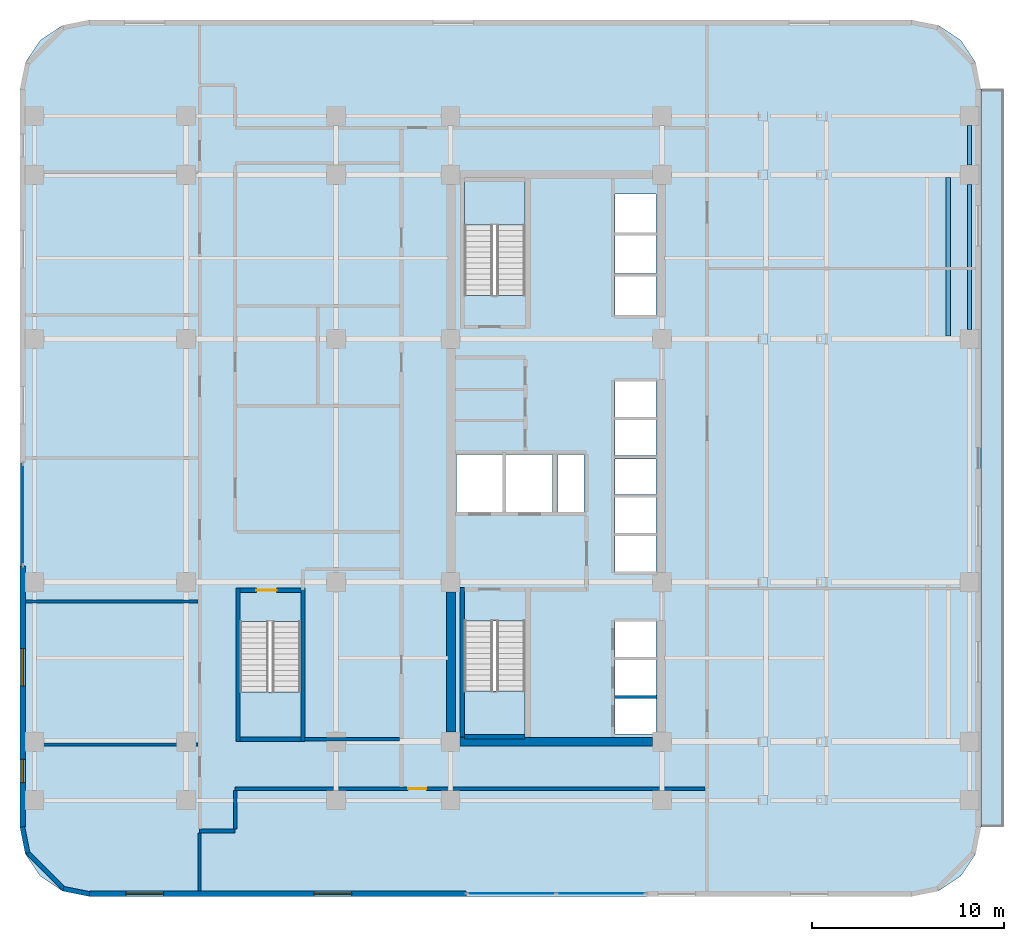
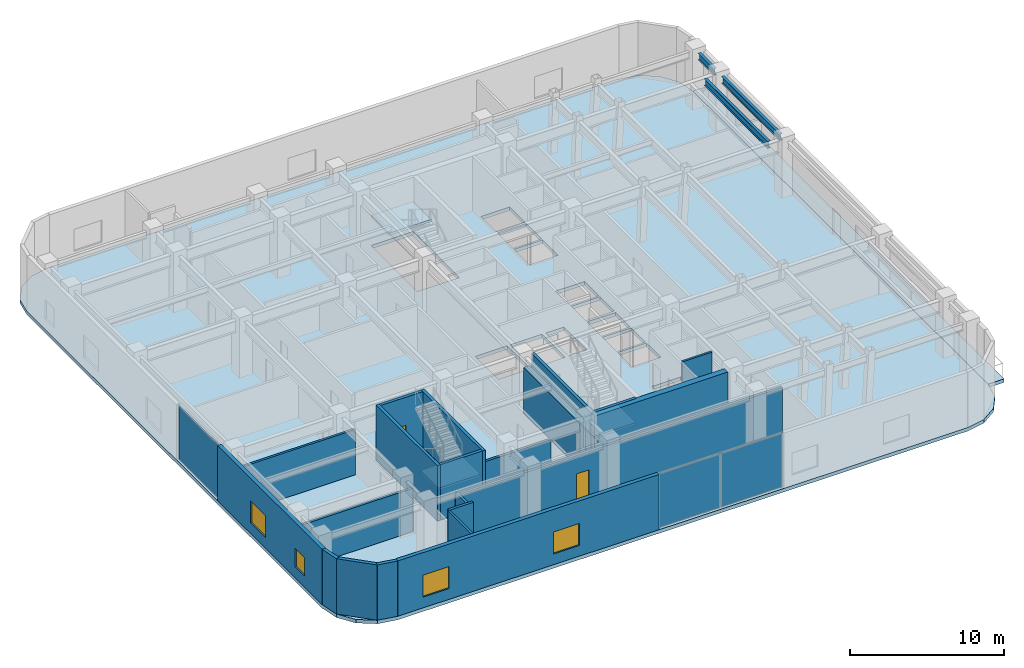
# One storey, part 4 of 10: 21 walls, 5 slabs, 4 windows, 3 beams, 3 plates, 2 doors, 6 openings, 5 elements without a shape of their own.
"""IFC4 building model written with IfcOpenShell, lengths in metres."""

from ifc_helpers import new_model, si_unit, direction, frame, frame_2d, origin, origin_2d, place, context, subcontext, project, spatial, polyline, rectangle, i_section, outline, extrude, material, layer, layer_set, material_profile, profile_set, type_object, element, fill, aggregate, save


model = new_model("IFC4")

# Units and contexts
model_context = context("Model", 3, precision=1e-05, world=origin(), true_north=direction((0.0, 1.0)))
body_context = subcontext(model_context, "Body", "Model", "MODEL_VIEW")
ifc_project = project(units=[si_unit("LENGTHUNIT", "METRE"), si_unit("AREAUNIT", "SQUARE_METRE"), si_unit("VOLUMEUNIT", "CUBIC_METRE"), si_unit("PLANEANGLEUNIT", "RADIAN"), si_unit("MASSUNIT", "GRAM", prefix="KILO")], contexts=[model_context])

# Site, building, storey
site_placement = place(None, origin())
site = spatial("IfcSite", under=ifc_project, at=site_placement, CompositionType="ELEMENT")
building_placement = place(site_placement, origin())
building = spatial("IfcBuilding", under=site, at=building_placement, Name="Ochreholt Gables", CompositionType="ELEMENT")
storey_placement = place(building_placement, frame((0.0, 0.0, 14.39990234375)))
storey = spatial("IfcBuildingStorey", under=building, at=storey_placement, Name="L03", CompositionType="ELEMENT", Elevation=14.39990234375)

# Beams
ifc_material_1 = material(Name="Steel CSA G40.21 350W", Category="steel")
ifc_material_profile_1 = material_profile(ifc_material_1, i_section(OverallWidth=0.2109375, OverallDepth=0.5390625, WebThickness=0.01171875, FlangeThickness=0.018798828125, at=origin_2d()), Name="W530X109")
ifc_profile_set_1 = profile_set([ifc_material_profile_1], Name="Steel CSA G40.21 350W")
beam_type_1 = type_object("IfcBeamType", Name="BM-G-W530A", PredefinedType="BEAM", material=ifc_profile_set_1)
beam_1_placement = place(storey_placement, frame((50.10009765625, 30.353515625, 4.12060546875), z_axis=(0.0, 1.0, 0.0), x_axis=(-1.0, 0.0, 0.0)))
element("IfcBeam", 1, at=beam_1_placement, inside=storey, type_object=beam_type_1, Name="L03 Beam BTG-L03-04E2R", PredefinedType="BEAM", context=body_context, shape_type="SweptSolid", body=[
    extrude(i_section(OverallWidth=0.2109375, OverallDepth=0.5390625, WebThickness=0.01171875, FlangeThickness=0.018798828125, at=origin_2d()), origin(), (0.0, 0.0, 1.0), 8.242919921875),
])
ifc_material_profile_2 = material_profile(ifc_material_1, i_section(OverallWidth=0.208984375, OverallDepth=0.532958984375, WebThickness=0.01025390625, FlangeThickness=0.015625, at=origin_2d()), Name="W530X92")
ifc_profile_set_2 = profile_set([ifc_material_profile_2], Name="Steel CSA G40.21 350W")
beam_type_2 = type_object("IfcBeamType", Name="BM-SP-W530B", PredefinedType="SPANDREL", material=ifc_profile_set_2)
beam_2_placement = place(storey_placement, frame((51.199951171875, 30.69970703125, 4.12353515625), z_axis=(0.0, 1.0, 0.0), x_axis=(-1.0, 0.0, 0.0)))
element("IfcBeam", 2, at=beam_2_placement, inside=storey, type_object=beam_type_2, Name="L03 Beam BG-L03-E3-Y4Y5", PredefinedType="SPANDREL", context=body_context, shape_type="SweptSolid", body=[
    extrude(i_section(OverallWidth=0.208984375, OverallDepth=0.532958984375, WebThickness=0.01025390625, FlangeThickness=0.015625, at=origin_2d()), origin(), (0.0, 0.0, 1.0), 7.55078125),
])
beam_3_placement = place(storey_placement, frame((51.199951171875, 39.24951171875, 4.12353515625), z_axis=(0.0, 1.0, 0.0), x_axis=(-1.0, 0.0, 0.0)))
element("IfcBeam", 3, at=beam_3_placement, inside=storey, type_object=beam_type_2, Name="L03 Beam BG-L03-E3-Y5Y6", PredefinedType="SPANDREL", context=body_context, shape_type="SweptSolid", body=[
    extrude(i_section(OverallWidth=0.208984375, OverallDepth=0.532958984375, WebThickness=0.01025390625, FlangeThickness=0.015625, at=origin_2d()), origin(), (0.0, 0.0, 1.0), 2.05078125),
])

# Curtain wall, plates
ifc_material_2 = material(Name="Unitised Aluminium and Triple Glazing", Category="aluminium")
ifc_layer_1 = layer(ifc_material_2, 0.199951171875, Name="Unitised Aluminium and Triple Glazing")
ifc_layer_set_1 = layer_set([ifc_layer_1], Name="Unitised Aluminium and Triple Glazing")
curtain_wall_type = type_object("IfcCurtainWallType", Name="CW-SYS1", PredefinedType="NOTDEFINED", material=ifc_layer_set_1)
curtain_wall_1_placement = place(storey_placement, origin())
curtain_wall_1 = element("IfcCurtainWall", 4, at=curtain_wall_1_placement, inside=storey, type_object=curtain_wall_type, Name="L03 South Unitised Curtain Wall", PredefinedType="NOTDEFINED")
ifc_material_3 = material(Name="Triple Low-E Insulating Glass", Category="glass")
ifc_layer_2 = layer(ifc_material_3, 0.035888671875, Name="Triple Low-E Insulating Glass")
ifc_layer_set_2 = layer_set([ifc_layer_2], Name="Triple Low-E Insulating Glass")
plate_type = type_object("IfcPlateType", Name="CW-PNL-36", PredefinedType="CURTAIN_PANEL", material=ifc_layer_set_2)
plate_1_placement = place(storey_placement, frame((27.36865234375, 1.344970703125, 0.0751953125), z_axis=(0.0, 0.0, 1.0), x_axis=(1.0, 0.0, 0.0)))
plate_1 = element("IfcPlate", 5, at=plate_1_placement, type_object=plate_type, Name="CW-1 panel 1.1", PredefinedType="CURTAIN_PANEL", context=body_context, shape_type="SweptSolid", body=[
    extrude(rectangle(XDim=4.58740234375, YDim=0.035888671875, at=origin_2d()), origin(), (0.0, 0.0, 1.0), 4.239990234375),
])
plate_2_placement = place(storey_placement, frame((32.03125, 1.344970703125, 0.0751953125), z_axis=(0.0, 0.0, 1.0), x_axis=(1.0, 0.0, 0.0)))
plate_2 = element("IfcPlate", 6, at=plate_2_placement, type_object=plate_type, Name="CW-1 panel 2.1", PredefinedType="CURTAIN_PANEL", context=body_context, shape_type="SweptSolid", body=[
    extrude(rectangle(XDim=4.58740234375, YDim=0.035888671875, at=origin_2d()), origin(), (0.0, 0.0, 1.0), 4.239990234375),
])
aggregate(curtain_wall_1, [plate_1, plate_2])

# Curtain wall, plate
curtain_wall_2_placement = place(storey_placement, origin())
curtain_wall_2 = element("IfcCurtainWall", 7, at=curtain_wall_2_placement, inside=storey, type_object=curtain_wall_type, Name="L03 West Unitised Curtain Wall", PredefinedType="NOTDEFINED")
plate_3_placement = place(storey_placement, frame((1.945068359375, 21.074951171875, 0.0751953125), z_axis=(0.0, 0.0, 1.0), x_axis=(0.0, -1.0, 0.0)))
plate_3 = element("IfcPlate", 8, at=plate_3_placement, type_object=plate_type, Name="CW-1 panel 1.1", PredefinedType="CURTAIN_PANEL", context=body_context, shape_type="SweptSolid", body=[
    extrude(rectangle(XDim=5.199951171875, YDim=0.035888671875, at=origin_2d()), origin(), (0.0, 0.0, 1.0), 4.239990234375),
])
aggregate(curtain_wall_2, [plate_3])

# Stair, slab
ifc_material_4 = material(Name="Concrete 40 MPa", Category="concrete")
stair_type_1 = type_object("IfcStairType", Name="STAIR-CORE-ST-1", PredefinedType="HALF_TURN_STAIR", material=ifc_material_4)
stair_1_placement = place(storey_placement, origin())
stair_1 = element("IfcStair", 9, at=stair_1_placement, inside=storey, type_object=stair_type_1, Name="L03 Core Exit Stair 1", PredefinedType="HALF_TURN_STAIR")
ifc_layer_3 = layer(ifc_material_4, 0.199951171875, Name="Concrete 40 MPa")
ifc_layer_set_3 = layer_set([ifc_layer_3], Name="Concrete 40 MPa")
slab_type_1 = type_object("IfcSlabType", Name="LANDING-RC200", PredefinedType="LANDING", material=ifc_layer_set_3)
slab_1_placement = place(storey_placement, frame((0.0, 0.0, 2.2001953125)))
slab_1 = element("IfcSlab", 10, at=slab_1_placement, type_object=slab_type_1, Name="ST-1 landing 1", PredefinedType="LANDING", context=body_context, shape_type="SweptSolid", body=[
    extrude(outline(polyline([(24.919921875, 11.8740234375), (24.919921875, 9.52001953125), (28.080078125, 9.52001953125), (28.080078125, 11.8740234375), (24.919921875, 11.8740234375)])), origin(), (0.0, 0.0, 1.0), 0.199951171875),
])
aggregate(stair_1, [slab_1])

stair_type_2 = type_object("IfcStairType", Name="STAIR-CORE-ST-2", PredefinedType="HALF_TURN_STAIR", material=ifc_material_4)
stair_2_placement = place(storey_placement, origin())
stair_2 = element("IfcStair", 11, at=stair_2_placement, inside=storey, type_object=stair_type_2, Name="L03 Core Exit Stair 2", PredefinedType="HALF_TURN_STAIR")
slab_2_placement = place(storey_placement, frame((0.0, 0.0, 2.2001953125)))
slab_2 = element("IfcSlab", 12, at=slab_2_placement, type_object=slab_type_1, Name="ST-2 landing 1", PredefinedType="LANDING", context=body_context, shape_type="SweptSolid", body=[
    extrude(outline(polyline([(28.080078125, 36.1259765625), (28.080078125, 38.47998046875), (24.919921875, 38.47998046875), (24.919921875, 36.1259765625), (28.080078125, 36.1259765625)])), origin(), (0.0, 0.0, 1.0), 0.199951171875),
])
aggregate(stair_2, [slab_2])

stair_type_3 = type_object("IfcStairType", Name="STAIR-CORE-ST-P1", PredefinedType="HALF_TURN_STAIR", material=ifc_material_4)
stair_3_placement = place(storey_placement, origin())
stair_3 = element("IfcStair", 13, at=stair_3_placement, inside=storey, type_object=stair_type_3, Name="L03 Podium Exit Stair 3", PredefinedType="HALF_TURN_STAIR")
slab_3_placement = place(storey_placement, frame((0.0, 0.0, 2.2001953125)))
slab_3 = element("IfcSlab", 14, at=slab_3_placement, type_object=slab_type_1, Name="ST-P1 landing 1", PredefinedType="LANDING", context=body_context, shape_type="SweptSolid", body=[
    extrude(outline(polyline([(13.25, 11.833984375), (13.25, 9.47998046875), (16.409912109375, 9.47998046875), (16.409912109375, 11.833984375), (13.25, 11.833984375)])), origin(), (0.0, 0.0, 1.0), 0.199951171875),
])
aggregate(stair_3, [slab_3])

# Slabs
ifc_material_5 = material(Name="Concrete 50 MPa", Category="concrete")
ifc_layer_4 = layer(ifc_material_5, 0.280029296875, Name="Concrete 50 MPa")
ifc_layer_set_4 = layer_set([ifc_layer_4], Name="Concrete 50 MPa")
slab_type_2 = type_object("IfcSlabType", Name="SLAB-POD-280", PredefinedType="FLOOR", material=ifc_layer_set_4)
slab_4_placement = place(storey_placement, frame((0.0, 0.0, -0.27978515625)))
element("IfcSlab", 15, at=slab_4_placement, inside=storey, type_object=slab_type_2, Name="L03 Structural Floor Slab", PredefinedType="FLOOR", context=body_context, shape_type="SweptSolid", body=[
    extrude(outline(polyline([(1.800048828125, 4.800048828125), (2.073974609375, 3.42236328125), (2.8544921875, 2.25439453125), (4.022216796875, 1.47412109375), (5.39990234375, 1.199951171875), (48.199951171875, 1.199951171875), (49.57763671875, 1.47412109375), (50.74560546875, 2.25439453125), (51.52587890625, 3.42236328125), (51.800048828125, 4.800048828125), (51.800048828125, 43.199951171875), (51.52587890625, 44.57763671875), (50.74560546875, 45.74560546875), (49.57763671875, 46.52587890625), (48.199951171875, 46.800048828125), (5.39990234375, 46.800048828125), (4.022216796875, 46.52587890625), (2.8544921875, 45.74560546875), (2.073974609375, 44.57763671875), (1.800048828125, 43.199951171875), (1.800048828125, 4.800048828125)]), holes=[polyline([(24.919921875, 15.539306640625), (24.919921875, 9.52001953125), (28.080078125, 9.52001953125), (28.080078125, 15.539306640625), (24.919921875, 15.539306640625)]), polyline([(28.080078125, 32.460693359375), (28.080078125, 38.47998046875), (24.919921875, 38.47998046875), (24.919921875, 32.460693359375), (28.080078125, 32.460693359375)]), polyline([(13.25, 15.499267578125), (13.25, 9.47998046875), (16.409912109375, 9.47998046875), (16.409912109375, 15.499267578125), (13.25, 15.499267578125)]), polyline([(24.5, 21.199951171875), (26.89990234375, 21.199951171875), (26.89990234375, 24.199951171875), (24.5, 24.199951171875), (24.5, 21.199951171875)]), polyline([(27.10009765625, 21.199951171875), (29.5, 21.199951171875), (29.5, 24.199951171875), (27.10009765625, 24.199951171875), (27.10009765625, 21.199951171875)]), polyline([(32.75, 9.64990234375), (34.89990234375, 9.64990234375), (34.89990234375, 11.5), (32.75, 11.5), (32.75, 9.64990234375)]), polyline([(32.75, 11.64990234375), (34.89990234375, 11.64990234375), (34.89990234375, 13.5), (32.75, 13.5), (32.75, 11.64990234375)]), polyline([(32.75, 13.64990234375), (34.89990234375, 13.64990234375), (34.89990234375, 15.5), (32.75, 15.5), (32.75, 13.64990234375)]), polyline([(32.75, 18.10009765625), (34.89990234375, 18.10009765625), (34.89990234375, 19.949951171875), (32.75, 19.949951171875), (32.75, 18.10009765625)]), polyline([(32.75, 20.10009765625), (34.89990234375, 20.10009765625), (34.89990234375, 21.949951171875), (32.75, 21.949951171875), (32.75, 20.10009765625)]), polyline([(32.75, 22.10009765625), (34.89990234375, 22.10009765625), (34.89990234375, 23.949951171875), (32.75, 23.949951171875), (32.75, 22.10009765625)]), polyline([(32.75, 24.14990234375), (34.89990234375, 24.14990234375), (34.89990234375, 26.0), (32.75, 26.0), (32.75, 24.14990234375)]), polyline([(32.75, 26.14990234375), (34.89990234375, 26.14990234375), (34.89990234375, 28.0), (32.75, 28.0), (32.75, 26.14990234375)]), polyline([(32.75, 31.449951171875), (34.89990234375, 31.449951171875), (34.89990234375, 33.449951171875), (32.75, 33.449951171875), (32.75, 31.449951171875)]), polyline([(32.75, 33.60009765625), (34.89990234375, 33.60009765625), (34.89990234375, 35.60009765625), (32.75, 35.60009765625), (32.75, 33.60009765625)]), polyline([(32.75, 35.75), (34.89990234375, 35.75), (34.89990234375, 37.75), (32.75, 37.75), (32.75, 35.75)]), polyline([(29.800048828125, 21.199951171875), (31.14990234375, 21.199951171875), (31.14990234375, 24.199951171875), (29.800048828125, 24.199951171875), (29.800048828125, 21.199951171875)])]), origin(), (0.0, 0.0, 1.0), 0.27978515625),
])
ifc_material_6 = material(Name="Concrete 45 MPa", Category="concrete")
ifc_layer_5 = layer(ifc_material_6, 0.280029296875, Name="Concrete 45 MPa")
ifc_layer_set_5 = layer_set([ifc_layer_5], Name="Concrete 45 MPa")
slab_type_3 = type_object("IfcSlabType", Name="SLAB-TER-280", PredefinedType="FLOOR", material=ifc_layer_set_5)
slab_5_placement = place(storey_placement, frame((0.0, 0.0, -0.27978515625)))
element("IfcSlab", 16, at=slab_5_placement, inside=storey, type_object=slab_type_3, Name="L03 Outdoor Terrace Slab TR-L03-E", PredefinedType="FLOOR", context=body_context, shape_type="SweptSolid", body=[
    extrude(outline(polyline([(51.80029296875, 4.800048828125), (53.0, 4.800048828125), (53.0, 43.199951171875), (51.80029296875, 43.199951171875), (51.80029296875, 4.800048828125)])), origin(), (0.0, 0.0, 1.0), 0.27978515625),
])

# Walls
ifc_material_7 = material(Name="Concrete 60 MPa", Category="concrete")
ifc_layer_6 = layer(ifc_material_7, 0.449951171875, Name="Concrete 60 MPa")
ifc_layer_set_6 = layer_set([ifc_layer_6], Name="Concrete 60 MPa")
wall_type_1 = type_object("IfcWallType", Name="WALL-CSW-450", PredefinedType="SHEAR", material=ifc_layer_set_6)
wall_1_placement = place(storey_placement, frame((24.22509765625, 9.75, 0.0), z_axis=(0.0, 0.0, 1.0), x_axis=(0.0, 1.0, 0.0)))
element("IfcWall", 17, at=wall_1_placement, inside=storey, type_object=wall_type_1, Name="L03 Core West Shear Wall WS", PredefinedType="SHEAR", context=body_context, shape_type="SweptSolid", body=[
    extrude(rectangle(XDim=7.300048828125, YDim=0.449951171875, at=frame_2d((3.64990234375, 0.0))), origin(), (0.0, 0.0, 1.0), 3.6201171875),
])
wall_2_placement = place(storey_placement, frame((24.699951171875, 9.25, 0.0), z_axis=(0.0, 0.0, 1.0), x_axis=(1.0, 0.0, 0.0)))
element("IfcWall", 18, at=wall_2_placement, inside=storey, type_object=wall_type_1, Name="L03 Core South Shear Wall", PredefinedType="SHEAR", context=body_context, shape_type="SweptSolid", body=[
    extrude(rectangle(XDim=10.0, YDim=0.449951171875, at=frame_2d((5.0, 0.0))), origin(), (0.0, 0.0, 1.0), 4.39013671875),
])

# Wall, openings, windows
ifc_material_8 = material(Name="Precast concrete 40 MPa", Category="concrete")
ifc_layer_7 = layer(ifc_material_8, 0.2900390625, Name="Precast concrete 40 MPa")
ifc_layer_set_7 = layer_set([ifc_layer_7], Name="Precast concrete 40 MPa")
wall_type_2 = type_object("IfcWallType", Name="WALL-EXT-290", PredefinedType="SOLIDWALL", material=ifc_layer_set_7)
wall_3_placement = place(storey_placement, frame((5.419921875, 1.344970703125, 0.0), z_axis=(0.0, 0.0, 1.0), x_axis=(1.0, 0.0, 0.0)))
wall_3 = element("IfcWall", 19, at=wall_3_placement, inside=storey, type_object=wall_type_2, Name="L03 South Facade Wall 1", PredefinedType="SOLIDWALL", context=body_context, shape_type="SweptSolid", body=[
    extrude(rectangle(XDim=19.580078125, YDim=0.2900390625, at=frame_2d((9.7900390625, 0.0))), origin(), (0.0, 0.0, 1.0), 4.39013671875),
])
opening_1_placement = place(wall_3_placement, frame((1.889892578125, 0.0, 0.85009765625)))
opening_1 = element("IfcOpeningElement", 20, at=opening_1_placement, cuts=wall_3, Name="Opening WN-9", PredefinedType="OPENING", context=body_context, shape_type="SweptSolid", body=[
    extrude(rectangle(XDim=1.949951171875, YDim=1.75, at=frame_2d((0.97509765625, 0.875))), frame((0.0, 0.155029296875, 0.0), z_axis=(0.0, -1.0, 0.0), x_axis=(1.0, 0.0, 0.0)), (0.0, 0.0, 1.0), 0.31005859375),
])
opening_2_placement = place(wall_3_placement, frame((11.679931640625, 0.0, 0.85009765625)))
opening_2 = element("IfcOpeningElement", 21, at=opening_2_placement, cuts=wall_3, Name="Opening WN-9", PredefinedType="OPENING", context=body_context, shape_type="SweptSolid", body=[
    extrude(rectangle(XDim=1.949951171875, YDim=1.75, at=frame_2d((0.97509765625, 0.875))), frame((0.0, 0.155029296875, 0.0), z_axis=(0.0, -1.0, 0.0), x_axis=(1.0, 0.0, 0.0)), (0.0, 0.0, 1.0), 0.31005859375),
])
ifc_material_9 = material(Name="Triple-Glazed Thermally Broken Aluminium Window", Category="aluminium")
window_type_1 = type_object("IfcWindowType", Name="WIN-CLN-1950", PartitioningType="SINGLE_PANEL", PredefinedType="WINDOW", material=ifc_material_9)
window_1_placement = place(opening_1_placement, origin())
window_1 = element("IfcWindow", 22, at=window_1_placement, inside=storey, type_object=window_type_1, Name="L03 Window W-EXT-S1-L03-1", OverallHeight=1.75, OverallWidth=1.949951171875, PartitioningType="SINGLE_PANEL", PredefinedType="WINDOW", context=body_context, shape_type="SweptSolid", body=[
    extrude(rectangle(XDim=1.949951171875, YDim=1.75, at=frame_2d((0.97509765625, 0.875))), frame((0.0, 0.030029296875, 0.0), z_axis=(0.0, -1.0, 0.0), x_axis=(1.0, 0.0, 0.0)), (0.0, 0.0, 1.0), 0.06005859375),
])
fill(opening_1, window_1)
window_2_placement = place(opening_2_placement, origin())
window_2 = element("IfcWindow", 23, at=window_2_placement, inside=storey, type_object=window_type_1, Name="L03 Window W-EXT-S1-L03-2", OverallHeight=1.75, OverallWidth=1.949951171875, PartitioningType="SINGLE_PANEL", PredefinedType="WINDOW", context=body_context, shape_type="SweptSolid", body=[
    extrude(rectangle(XDim=1.949951171875, YDim=1.75, at=frame_2d((0.97509765625, 0.875))), frame((0.0, 0.030029296875, 0.0), z_axis=(0.0, -1.0, 0.0), x_axis=(1.0, 0.0, 0.0)), (0.0, 0.0, 1.0), 0.06005859375),
])
fill(opening_2, window_2)

wall_4_placement = place(storey_placement, frame((1.945068359375, 18.39990234375, 0.0), z_axis=(0.0, 0.0, 1.0), x_axis=(0.0, -1.0, 0.0)))
wall_4 = element("IfcWall", 24, at=wall_4_placement, inside=storey, type_object=wall_type_2, Name="L03 West Facade Wall 2", PredefinedType="SOLIDWALL", context=body_context, shape_type="SweptSolid", body=[
    extrude(rectangle(XDim=13.579833984375, YDim=0.2900390625, at=frame_2d((6.7900390625, 0.0))), origin(), (0.0, 0.0, 1.0), 4.39013671875),
])
opening_3_placement = place(wall_4_placement, frame((10.074951171875, 0.0, 0.85009765625)))
opening_3 = element("IfcOpeningElement", 25, at=opening_3_placement, cuts=wall_4, Name="Opening WN-3", PredefinedType="OPENING", context=body_context, shape_type="SweptSolid", body=[
    extrude(rectangle(XDim=1.199951171875, YDim=1.5, at=frame_2d((0.60009765625, 0.75))), frame((0.0, 0.155029296875, 0.0), z_axis=(0.0, -1.0, 0.0), x_axis=(1.0, 0.0, 0.0)), (0.0, 0.0, 1.0), 0.31005859375),
])
opening_4_placement = place(wall_4_placement, frame((4.304931640625, 0.0, 0.85009765625)))
opening_4 = element("IfcOpeningElement", 26, at=opening_4_placement, cuts=wall_4, Name="Opening WN-9", PredefinedType="OPENING", context=body_context, shape_type="SweptSolid", body=[
    extrude(rectangle(XDim=1.949951171875, YDim=1.75, at=frame_2d((0.97509765625, 0.875))), frame((0.0, 0.155029296875, 0.0), z_axis=(0.0, -1.0, 0.0), x_axis=(1.0, 0.0, 0.0)), (0.0, 0.0, 1.0), 0.31005859375),
])
window_3_placement = place(opening_4_placement, origin())
window_3 = element("IfcWindow", 27, at=window_3_placement, inside=storey, type_object=window_type_1, Name="L03 Window W-EXT-W2-L03-2", OverallHeight=1.75, OverallWidth=1.949951171875, PartitioningType="SINGLE_PANEL", PredefinedType="WINDOW", context=body_context, shape_type="SweptSolid", body=[
    extrude(rectangle(XDim=1.949951171875, YDim=1.75, at=frame_2d((0.97509765625, 0.875))), frame((0.0, 0.030029296875, 0.0), z_axis=(0.0, -1.0, 0.0), x_axis=(1.0, 0.0, 0.0)), (0.0, 0.0, 1.0), 0.06005859375),
])
fill(opening_4, window_3)
window_type_2 = type_object("IfcWindowType", Name="WIN-RES-1200", PartitioningType="SINGLE_PANEL", PredefinedType="WINDOW", material=ifc_material_9)
window_4_placement = place(opening_3_placement, origin())
window_4 = element("IfcWindow", 28, at=window_4_placement, inside=storey, type_object=window_type_2, Name="L03 Window W-EXT-W2-L03-1", OverallHeight=1.5, OverallWidth=1.199951171875, PartitioningType="SINGLE_PANEL", PredefinedType="WINDOW", context=body_context, shape_type="SweptSolid", body=[
    extrude(rectangle(XDim=1.199951171875, YDim=1.5, at=frame_2d((0.60009765625, 0.75))), frame((0.0, 0.030029296875, 0.0), z_axis=(0.0, -1.0, 0.0), x_axis=(1.0, 0.0, 0.0)), (0.0, 0.0, 1.0), 0.06005859375),
])
fill(opening_3, window_4)

# Walls
ifc_layer_8 = layer(ifc_material_8, 0.25, Name="Precast concrete 40 MPa")
ifc_layer_set_8 = layer_set([ifc_layer_8], Name="Precast concrete 40 MPa")
wall_type_3 = type_object("IfcWallType", Name="WALL-EXT-CNR", PredefinedType="SOLIDWALL", material=ifc_layer_set_8)
wall_5_placement = place(storey_placement, frame((1.92431640625, 4.81640625, 0.0), z_axis=(0.0, 0.0, 1.0), x_axis=(0.195000137217, -0.980803214965, 0.0)))
element("IfcWall", 29, at=wall_5_placement, inside=storey, type_object=wall_type_3, Name="L03 Rounded Corner Wall SW-1", PredefinedType="SOLIDWALL", context=body_context, shape_type="SweptSolid", body=[
    extrude(rectangle(XDim=1.388427734375, YDim=0.25, at=frame_2d((0.6943359375, 0.0))), origin(), (0.0, 0.0, 1.0), 4.39013671875),
])
wall_6_placement = place(storey_placement, frame((2.16796875, 3.5048828125, 0.0), z_axis=(0.0, 0.0, 1.0), x_axis=(0.707151344399, -0.707062215165, 0.0)))
element("IfcWall", 30, at=wall_6_placement, inside=storey, type_object=wall_type_3, Name="L03 Rounded Corner Wall SW-2", PredefinedType="SOLIDWALL", context=body_context, shape_type="SweptSolid", body=[
    extrude(rectangle(XDim=2.7392578125, YDim=0.25, at=frame_2d((1.36962890625, 0.0))), origin(), (0.0, 0.0, 1.0), 4.39013671875),
])
wall_7_placement = place(storey_placement, frame((4.054443359375, 1.594970703125, 0.0), z_axis=(0.0, 0.0, 1.0), x_axis=(0.980809899341, -0.19496651342, 0.0)))
element("IfcWall", 31, at=wall_7_placement, inside=storey, type_object=wall_type_3, Name="L03 Rounded Corner Wall SW-3", PredefinedType="SOLIDWALL", context=body_context, shape_type="SweptSolid", body=[
    extrude(rectangle(XDim=1.388671875, YDim=0.25, at=frame_2d((0.6943359375, 0.0))), origin(), (0.0, 0.0, 1.0), 4.39013671875),
])

# Wall, opening, door
ifc_material_10 = material(Name="Fire-Rated Gypsum Acoustic Partition", Category="gypsum")
ifc_layer_9 = layer(ifc_material_10, 0.18994140625, Name="Fire-Rated Gypsum Acoustic Partition")
ifc_layer_set_9 = layer_set([ifc_layer_9], Name="Fire-Rated Gypsum Acoustic Partition")
wall_type_4 = type_object("IfcWallType", Name="WALL-INT-CR190", PredefinedType="STANDARD", material=ifc_layer_set_9)
wall_8_placement = place(storey_placement, frame((13.0, 6.800048828125, 0.0), z_axis=(0.0, 0.0, 1.0), x_axis=(1.0, 0.0, 0.0)))
wall_8 = element("IfcWall", 32, at=wall_8_placement, inside=storey, type_object=wall_type_4, Name="L03 Interior Wall WI-CLCS-L03", PredefinedType="STANDARD", context=body_context, shape_type="SweptSolid", body=[
    extrude(rectangle(XDim=24.455078125, YDim=0.18994140625, at=frame_2d((12.2275390625, 0.0))), origin(), (0.0, 0.0, 1.0), 3.60205078125),
])
opening_5_placement = place(wall_8_placement, frame((9.0, 0.0, 0.0)))
opening_5 = element("IfcOpeningElement", 33, at=opening_5_placement, cuts=wall_8, Name="Opening D-GN1", PredefinedType="OPENING", context=body_context, shape_type="SweptSolid", body=[
    extrude(rectangle(XDim=0.949951171875, YDim=2.14990234375, at=frame_2d((0.47509765625, 1.074951171875))), frame((0.0, 0.10498046875, 0.0), z_axis=(0.0, -1.0, 0.0), x_axis=(1.0, 0.0, 0.0)), (0.0, 0.0, 1.0), 0.2099609375),
])
ifc_material_11 = material(Name="Engineered Oak Timber", Category="wood")
door_type_1 = type_object("IfcDoorType", Name="DR-INT-GEN950", OperationType="NOTDEFINED", PredefinedType="DOOR", material=ifc_material_11)
door_1_placement = place(opening_5_placement, origin())
door_1 = element("IfcDoor", 34, at=door_1_placement, inside=storey, type_object=door_type_1, Name="L03 Door D-CLCS-L03", OperationType="SINGLE_SWING_LEFT", OverallHeight=2.14990234375, OverallWidth=0.949951171875, PredefinedType="DOOR", context=body_context, shape_type="SweptSolid", body=[
    extrude(rectangle(XDim=0.949951171875, YDim=2.14990234375, at=frame_2d((0.47509765625, 1.074951171875))), frame((0.0, 0.02490234375, 0.0), z_axis=(0.0, -1.0, 0.0), x_axis=(1.0, 0.0, 0.0)), (0.0, 0.0, 1.0), 0.050048828125),
])
fill(opening_5, door_1)

# Walls
wall_9_placement = place(storey_placement, frame((11.14990234375, 4.60009765625, 0.0), z_axis=(0.0, 0.0, 1.0), x_axis=(1.0, 0.0, 0.0)))
element("IfcWall", 35, at=wall_9_placement, inside=storey, type_object=wall_type_4, Name="L03 Interior Wall WI-CLCS0-L03", PredefinedType="STANDARD", context=body_context, shape_type="SweptSolid", body=[
    extrude(rectangle(XDim=1.85009765625, YDim=0.18994140625, at=frame_2d((0.925048828125, 0.0))), origin(), (0.0, 0.0, 1.0), 4.39013671875),
])
wall_10_placement = place(storey_placement, frame((13.0, 4.695068359375, 0.0), z_axis=(0.0, 0.0, 1.0), x_axis=(0.0, 1.0, 0.0)))
element("IfcWall", 36, at=wall_10_placement, inside=storey, type_object=wall_type_4, Name="L03 Interior Wall WI-CLCS1-L03", PredefinedType="STANDARD", context=body_context, shape_type="SweptSolid", body=[
    extrude(rectangle(XDim=2.010009765625, YDim=0.18994140625, at=frame_2d((1.0048828125, 0.0))), origin(), (0.0, 0.0, 1.0), 3.839111328125),
])
wall_11_placement = place(storey_placement, frame((16.6298828125, 9.3701171875, 0.0), z_axis=(0.0, 0.0, 1.0), x_axis=(1.0, 0.0, 0.0)))
element("IfcWall", 37, at=wall_11_placement, inside=storey, type_object=wall_type_4, Name="L03 Interior Wall WI-CLCS2-L03", PredefinedType="STANDARD", context=body_context, shape_type="SweptSolid", body=[
    extrude(rectangle(XDim=4.925048828125, YDim=0.18994140625, at=frame_2d((2.46240234375, 0.0))), origin(), (0.0, 0.0, 1.0), 3.445068359375),
])
ifc_material_12 = material(Name="Gypsum Acoustic Stud Partition", Category="gypsum")
ifc_layer_10 = layer(ifc_material_12, 0.159912109375, Name="Gypsum Acoustic Stud Partition")
ifc_layer_set_10 = layer_set([ifc_layer_10], Name="Gypsum Acoustic Stud Partition")
wall_type_5 = type_object("IfcWallType", Name="WALL-INT-PT160", PredefinedType="PARTITIONING", material=ifc_layer_set_10)
wall_12_placement = place(storey_placement, frame((11.14990234375, 1.489990234375, 0.0), z_axis=(0.0, 0.0, 1.0), x_axis=(0.0, 1.0, 0.0)))
element("IfcWall", 38, at=wall_12_placement, inside=storey, type_object=wall_type_5, Name="L03 Interior Wall WI-CLWWS-L03", PredefinedType="PARTITIONING", context=body_context, shape_type="SweptSolid", body=[
    extrude(rectangle(XDim=3.014892578125, YDim=0.159912109375, at=frame_2d((1.50732421875, 0.0))), origin(), (0.0, 0.0, 1.0), 4.39013671875),
])
wall_13_placement = place(storey_placement, frame((2.090087890625, 9.10009765625, 0.0), z_axis=(0.0, 0.0, 1.0), x_axis=(1.0, 0.0, 0.0)))
element("IfcWall", 39, at=wall_13_placement, inside=storey, type_object=wall_type_5, Name="L03 Interior Wall WI-CLW1-L03", PredefinedType="PARTITIONING", context=body_context, shape_type="SweptSolid", body=[
    extrude(rectangle(XDim=8.96484375, YDim=0.159912109375, at=frame_2d((4.482421875, 0.0))), origin(), (0.0, 0.0, 1.0), 3.445068359375),
])
wall_14_placement = place(storey_placement, frame((2.090087890625, 16.550048828125, 0.0), z_axis=(0.0, 0.0, 1.0), x_axis=(1.0, 0.0, 0.0)))
element("IfcWall", 40, at=wall_14_placement, inside=storey, type_object=wall_type_5, Name="L03 Interior Wall WI-CLW2-L03", PredefinedType="PARTITIONING", context=body_context, shape_type="SweptSolid", body=[
    extrude(rectangle(XDim=8.96484375, YDim=0.159912109375, at=frame_2d((4.482421875, 0.0))), origin(), (0.0, 0.0, 1.0), 3.60205078125),
])
ifc_material_13 = material(Name="Gypsum Shaftliner and Steel Stud", Category="steel")
ifc_layer_11 = layer(ifc_material_13, 0.14990234375, Name="Gypsum Shaftliner and Steel Stud")
ifc_layer_set_11 = layer_set([ifc_layer_11], Name="Gypsum Shaftliner and Steel Stud")
wall_type_6 = type_object("IfcWallType", Name="WALL-INT-SH150", PredefinedType="STANDARD", material=ifc_layer_set_11)
wall_15_placement = place(storey_placement, frame((32.739990234375, 11.570068359375, 0.0), z_axis=(0.0, 0.0, 1.0), x_axis=(1.0, 0.0, 0.0)))
element("IfcWall", 41, at=wall_15_placement, inside=storey, type_object=wall_type_6, Name="L03 Interior Wall WI-LFL-D1-L03", PredefinedType="STANDARD", context=body_context, shape_type="SweptSolid", body=[
    extrude(rectangle(XDim=2.2099609375, YDim=0.14990234375, at=frame_2d((1.10498046875, 0.0))), origin(), (0.0, 0.0, 1.0), 4.39013671875),
])
ifc_layer_12 = layer(ifc_material_5, 0.219970703125, Name="Concrete 50 MPa")
ifc_layer_set_12 = layer_set([ifc_layer_12], Name="Concrete 50 MPa")
wall_type_7 = type_object("IfcWallType", Name="WALL-STW-220", PredefinedType="SHEAR", material=ifc_layer_set_12)
wall_16_placement = place(storey_placement, frame((24.81005859375, 9.5, 0.0), z_axis=(0.0, 0.0, 1.0), x_axis=(0.0, 1.0, 0.0)))
element("IfcWall", 42, at=wall_16_placement, inside=storey, type_object=wall_type_7, Name="L03 Exit Stair 1 West Wall", PredefinedType="SHEAR", context=body_context, shape_type="SweptSolid", body=[
    extrude(rectangle(XDim=7.760009765625, YDim=0.219970703125, at=frame_2d((3.8798828125, 0.0))), origin(), (0.0, 0.0, 1.0), 4.39013671875),
])
wall_17_placement = place(storey_placement, frame((24.919921875, 9.510009765625, 0.0), z_axis=(0.0, 0.0, 1.0), x_axis=(1.0, 0.0, 0.0)))
element("IfcWall", 43, at=wall_17_placement, inside=storey, type_object=wall_type_7, Name="L03 Exit Stair 1 South Wall", PredefinedType="SHEAR", context=body_context, shape_type="SweptSolid", body=[
    extrude(rectangle(XDim=3.16015625, YDim=0.219970703125, at=frame_2d((1.580078125, 0.0))), origin(), (0.0, 0.0, 1.0), 4.39013671875),
])
for number, where, z_axis, x_axis, name in (
    (44, (13.139892578125, 9.260009765625, 0.0), (0.0, 0.0, 1.0), (0.0, 1.0, 0.0), "L03 Podium Stair West Wall"),
    (45, (16.52001953125, 9.260009765625, 0.0), (0.0, 0.0, 1.0), (0.0, 1.0, 0.0), "L03 Podium Stair East Wall"),
):
    element("IfcWall", number, at=place(storey_placement, frame(where, z_axis=z_axis, x_axis=x_axis)), inside=storey, type_object=wall_type_7, Name=name, PredefinedType="SHEAR", context=body_context, shape_type="SweptSolid", body=[
        extrude(rectangle(XDim=7.97998046875, YDim=0.219970703125, at=frame_2d((3.989990234375, 0.0))), origin(), (0.0, 0.0, 1.0), 4.39013671875),
    ])
wall_18_placement = place(storey_placement, frame((13.25, 9.3701171875, 0.0), z_axis=(0.0, 0.0, 1.0), x_axis=(1.0, 0.0, 0.0)))
element("IfcWall", 46, at=wall_18_placement, inside=storey, type_object=wall_type_7, Name="L03 Podium Stair South Wall", PredefinedType="SHEAR", context=body_context, shape_type="SweptSolid", body=[
    extrude(rectangle(XDim=3.159912109375, YDim=0.219970703125, at=frame_2d((1.580078125, 0.0))), origin(), (0.0, 0.0, 1.0), 4.39013671875),
])

# Wall, opening, door
wall_19_placement = place(storey_placement, frame((13.25, 17.1298828125, 0.0), z_axis=(0.0, 0.0, 1.0), x_axis=(1.0, 0.0, 0.0)))
wall_19 = element("IfcWall", 47, at=wall_19_placement, inside=storey, type_object=wall_type_7, Name="L03 Podium Stair North Wall", PredefinedType="SHEAR", context=body_context, shape_type="SweptSolid", body=[
    extrude(rectangle(XDim=3.159912109375, YDim=0.219970703125, at=frame_2d((1.580078125, 0.0))), origin(), (0.0, 0.0, 1.0), 4.39013671875),
])
opening_6_placement = place(wall_19_placement, frame((0.85009765625, 0.0, 0.0)))
opening_6 = element("IfcOpeningElement", 48, at=opening_6_placement, cuts=wall_19, Name="Opening D-STC", PredefinedType="OPENING", context=body_context, shape_type="SweptSolid", body=[
    extrude(rectangle(XDim=1.050048828125, YDim=2.14990234375, at=frame_2d((0.52490234375, 1.074951171875))), frame((0.0, 0.119873046875, 0.0), z_axis=(0.0, -1.0, 0.0), x_axis=(1.0, 0.0, 0.0)), (0.0, 0.0, 1.0), 0.239990234375),
])
ifc_material_14 = material(Name="Hollow Metal Steel", Category="steel")
door_type_2 = type_object("IfcDoorType", Name="DR-INT-ST1050", OperationType="NOTDEFINED", PredefinedType="DOOR", material=ifc_material_14)
door_2_placement = place(opening_6_placement, frame((1.050048828125, 0.0, 0.0), z_axis=(0.0, 0.0, 1.0), x_axis=(-1.0, 0.0, 0.0)))
door_2 = element("IfcDoor", 49, at=door_2_placement, inside=storey, type_object=door_type_2, Name="L03 Door D-STP1-L03", OperationType="SINGLE_SWING_LEFT", OverallHeight=2.14990234375, OverallWidth=1.050048828125, PredefinedType="DOOR", context=body_context, shape_type="SweptSolid", body=[
    extrude(rectangle(XDim=1.050048828125, YDim=2.14990234375, at=frame_2d((0.52490234375, 1.074951171875))), frame((0.0, 0.02490234375, 0.0), z_axis=(0.0, -1.0, 0.0), x_axis=(1.0, 0.0, 0.0)), (0.0, 0.0, 1.0), 0.050048828125),
])
fill(opening_6, door_2)

save(model, "model.ifc")
